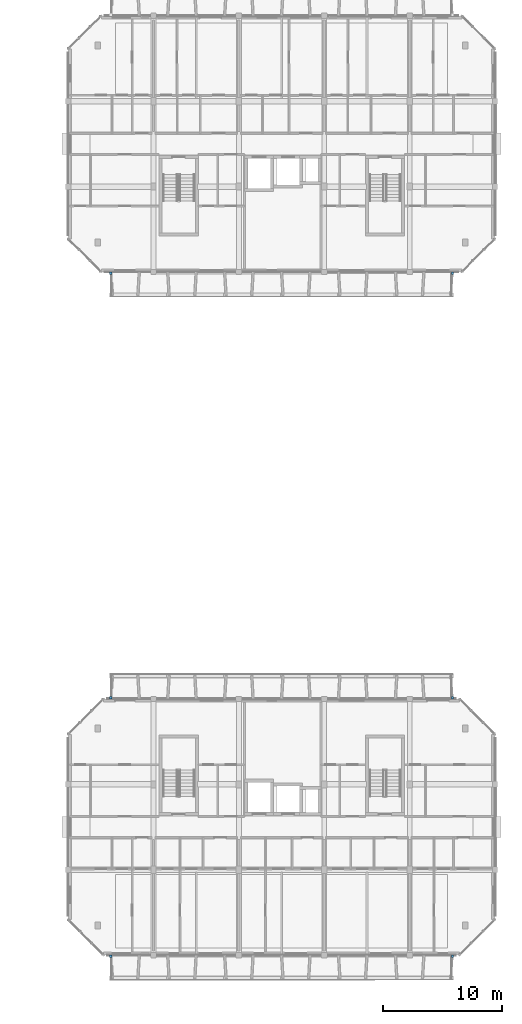
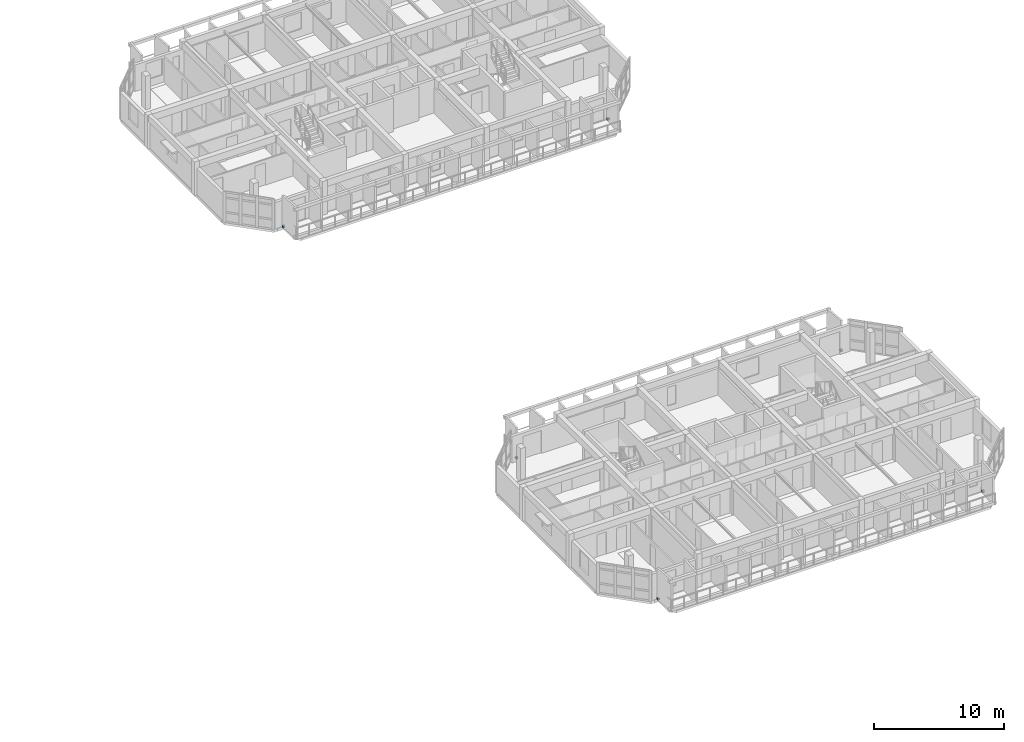
# One storey, part 34 of 43: 6 discrete accessories.
"""IFC4 building model written with IfcOpenShell, lengths in metres."""

from ifc_helpers import new_model, si_unit, direction, frame, origin, origin_2d, place, context, subcontext, project, spatial, rectangle, extrude, material, type_object, element, save


model = new_model("IFC4")

# Units and contexts
model_context = context("Model", 3, precision=1e-05, world=origin(), true_north=direction((0.0, 1.0)))
body_context = subcontext(model_context, "Body", "Model", "MODEL_VIEW")
ifc_project = project(units=[si_unit("LENGTHUNIT", "METRE"), si_unit("AREAUNIT", "SQUARE_METRE"), si_unit("VOLUMEUNIT", "CUBIC_METRE"), si_unit("PLANEANGLEUNIT", "RADIAN"), si_unit("MASSUNIT", "GRAM", prefix="KILO")], contexts=[model_context])

# Site, building, storey
site_placement = place(None, origin())
site = spatial("IfcSite", under=ifc_project, at=site_placement, CompositionType="ELEMENT")
building_placement = place(site_placement, origin())
building = spatial("IfcBuilding", under=site, at=building_placement, Name="Ochrevale Crest", CompositionType="ELEMENT")
storey_placement = place(building_placement, frame((0.0, 0.0, 30.75)))
storey = spatial("IfcBuildingStorey", under=building, at=storey_placement, Name="L09", CompositionType="ELEMENT", Elevation=30.75)

# Discrete accessories
ifc_material = material(Name="Galvanised steel", Category="steel")
discrete_accessory_type = type_object("IfcDiscreteAccessoryType", Name="ACC-BRK-HC", PredefinedType="BRACKET", material=ifc_material)
for number, where, z_axis, x_axis, name in (
    (1, (133.199951171875, 14.300048828125, 0.0), (0.0, 0.0, 1.0), (1.0, 0.0, 0.0), "Block C L09 precast loggia corbel bracket"),
    (2, (162.0, 14.300048828125, 0.0), (0.0, 0.0, 1.0), (1.0, 0.0, 0.0), "Block C L09 precast loggia corbel bracket"),
    (3, (133.199951171875, 36.10009765625, 0.0), (0.0, 0.0, 1.0), (1.0, 0.0, 0.0), "Block C L09 precast loggia corbel bracket"),
    (4, (162.0, 36.10009765625, 0.0), (0.0, 0.0, 1.0), (1.0, 0.0, 0.0), "Block C L09 precast loggia corbel bracket"),
    (5, (133.199951171875, 71.89990234375, 0.0), (0.0, 0.0, 1.0), (1.0, 0.0, 0.0), "Block D L09 precast loggia corbel bracket"),
    (6, (162.0, 71.89990234375, 0.0), (0.0, 0.0, 1.0), (1.0, 0.0, 0.0), "Block D L09 precast loggia corbel bracket"),
):
    element("IfcDiscreteAccessory", number, at=place(storey_placement, frame(where, z_axis=z_axis, x_axis=x_axis)), inside=storey, type_object=discrete_accessory_type, Name=name, PredefinedType="BRACKET", context=body_context, shape_type="SweptSolid", body=[
        extrude(rectangle(XDim=0.179931640625, YDim=0.219970703125, at=origin_2d()), origin(), (0.0, 0.0, 1.0), 0.179931640625),
    ])

save(model, "model.ifc")
